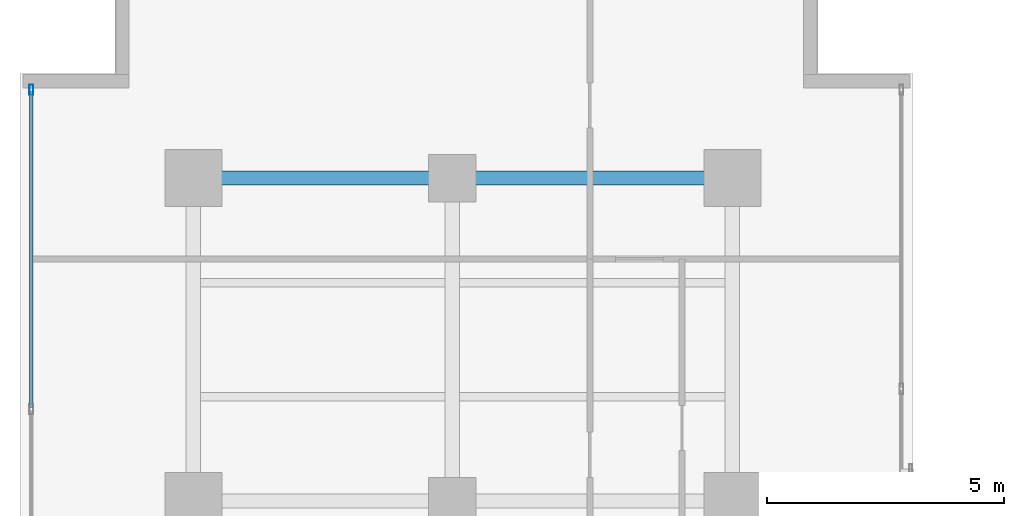
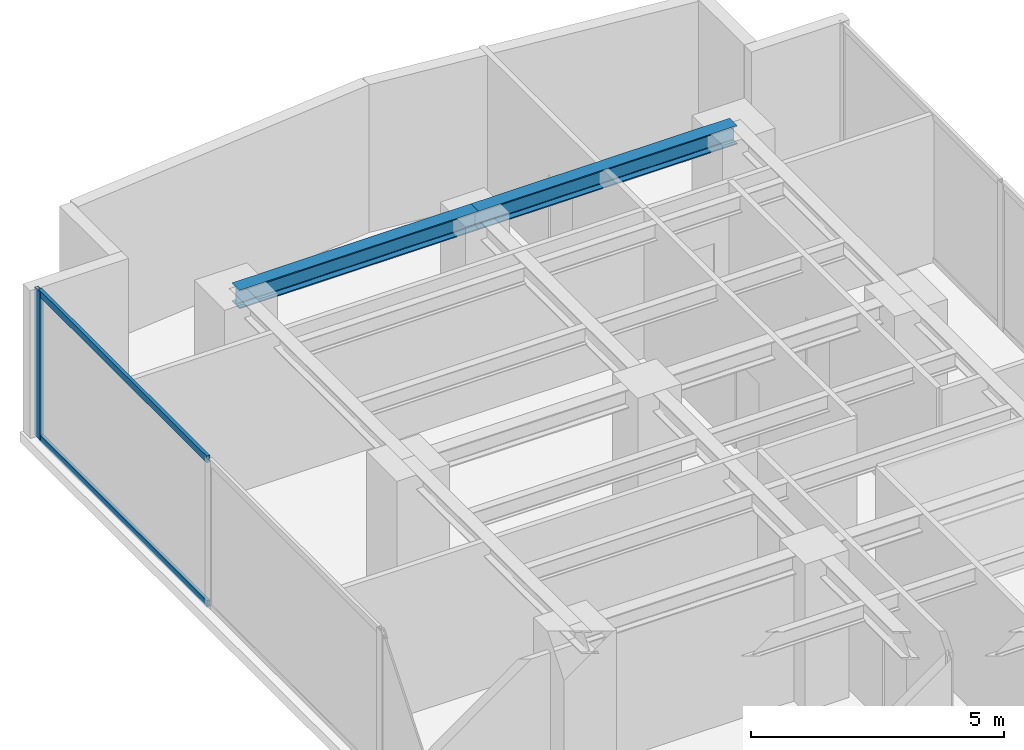
# One storey, part 16 of 26: 3 members, 2 beams, 1 element without a shape of its own.
"""IFC4 building model written with IfcOpenShell, lengths in metres."""

from ifc_helpers import new_model, si_unit, direction, frame, origin, origin_with_axes, origin_2d, place, context, subcontext, project, spatial, hollow_rectangle, i_section, extrude, source, transform, mapped, material, layer, layer_set, material_profile, profile_set, type_object, element, aggregate, save


model = new_model("IFC4")

# Units and contexts
model_context = context("Model", 3, precision=1e-05, world=origin(), true_north=direction((0.0, 1.0)))
body_context = subcontext(model_context, "Body", "Model", "MODEL_VIEW")
ifc_project = project(units=[si_unit("LENGTHUNIT", "METRE"), si_unit("AREAUNIT", "SQUARE_METRE"), si_unit("VOLUMEUNIT", "CUBIC_METRE"), si_unit("PLANEANGLEUNIT", "RADIAN"), si_unit("MASSUNIT", "GRAM", prefix="KILO")], contexts=[model_context])

# Site, building, storey
site_placement = place(None, origin())
site = spatial("IfcSite", under=ifc_project, at=site_placement, CompositionType="ELEMENT")
building_placement = place(site_placement, origin())
building = spatial("IfcBuilding", under=site, at=building_placement, Name="Kolvaren Waterfront Exchange", CompositionType="ELEMENT")
storey_placement = place(building_placement, frame((0.0, 0.0, 165.199951171875)))
storey = spatial("IfcBuildingStorey", under=building, at=storey_placement, Name="L42", CompositionType="ELEMENT", Elevation=165.199951171875)

# Beams
ifc_material_1 = material(Name="Steel S355", Category="steel")
ifc_material_profile_1 = material_profile(ifc_material_1, i_section(OverallWidth=0.300048828125, OverallDepth=0.449951171875, WebThickness=0.013916015625, FlangeThickness=0.02587890625, FilletRadius=0.027099609375, at=origin_2d()), Name="HEB450")
ifc_profile_set_1 = profile_set([ifc_material_profile_1], Name="Steel S355")
beam_type = type_object("IfcBeamType", Name="STR-BM-HEB450", PredefinedType="BEAM", material=ifc_profile_set_1)
beam_1_placement = place(storey_placement, frame((7.449951171875, 44.60009765625, 3.3349609375), z_axis=(1.0, 0.0, 0.0), x_axis=(0.0, 1.0, 0.0)))
element("IfcBeam", 1, at=beam_1_placement, inside=storey, type_object=beam_type, Name="L42 north-arm girder 4A", PredefinedType="BEAM", context=body_context, shape_type="SweptSolid", body=[
    extrude(i_section(OverallWidth=0.300048828125, OverallDepth=0.449951171875, WebThickness=0.013916015625, FlangeThickness=0.02587890625, FilletRadius=0.027099609375, at=origin_2d()), origin(), (0.0, 0.0, 1.0), 5.449951171875),
])
beam_2_placement = place(storey_placement, frame((12.89990234375, 44.60009765625, 3.3349609375), z_axis=(1.0, 0.0, 0.0), x_axis=(0.0, 1.0, 0.0)))
element("IfcBeam", 2, at=beam_2_placement, inside=storey, type_object=beam_type, Name="L42 north-arm girder 4B", PredefinedType="BEAM", context=body_context, shape_type="SweptSolid", body=[
    extrude(i_section(OverallWidth=0.300048828125, OverallDepth=0.449951171875, WebThickness=0.013916015625, FlangeThickness=0.02587890625, FilletRadius=0.027099609375, at=origin_2d()), origin(), (0.0, 0.0, 1.0), 5.900146484375),
])

# Curtain wall, members
ifc_material_2 = material(Name="Anodised aluminium 6063-T6", Category="aluminium")
ifc_layer = layer(ifc_material_2, 0.219970703125, Name="Anodised aluminium 6063-T6")
ifc_layer_set = layer_set([ifc_layer], Name="Anodised aluminium 6063-T6")
curtain_wall_type = type_object("IfcCurtainWallType", Name="ARC-CW-SYS2", PredefinedType="USERDEFINED", material=ifc_layer_set)
curtain_wall_placement = place(storey_placement, origin())
curtain_wall = element("IfcCurtainWall", 3, at=curtain_wall_placement, inside=storey, type_object=curtain_wall_type, Name="L42 stick curtain wall CW2 (CW-L42-W)", ObjectType="STICK CURTAIN WALL", PredefinedType="USERDEFINED")
ifc_material_profile_2 = material_profile(ifc_material_2, hollow_rectangle(XDim=0.080078125, YDim=0.219970703125, WallThickness=0.0048828125, at=origin_2d()), Name="ALU-MUL-220x80x5")
ifc_profile_set_2 = profile_set([ifc_material_profile_2], Name="Anodised aluminium 6063-T6")
member_type_1 = type_object("IfcMemberType", Name="ARC-CWM-220", PredefinedType="MULLION", material=ifc_profile_set_2)
shared_shape_1 = source(origin_with_axes(), body_context, "Body", "SweptSolid", [
    extrude(hollow_rectangle(XDim=0.080078125, YDim=0.219970703125, WallThickness=0.0048828125, at=origin_2d()), origin(), (0.0, 0.0, 1.0), 3.56005859375),
])
member_1_placement = place(storey_placement, frame((4.0400390625, 46.4599609375, 0.0), z_axis=(0.0, 0.0, 1.0), x_axis=(-1.0, 0.0, 0.0)))
member_1 = element("IfcMember", 4, at=member_1_placement, type_object=member_type_1, Name="CW2 mullion 7", PredefinedType="MULLION", context=body_context, shape_type="MappedRepresentation", body=[
    mapped(shared_shape_1, transform((0.0, 0.0, 0.0), x_axis=(1.0, 0.0, 0.0), y_axis=(0.0, 1.0, 0.0), z_axis=(0.0, 0.0, 1.0), scale=1.0)),
])
ifc_material_profile_3 = material_profile(ifc_material_2, hollow_rectangle(XDim=0.074951171875, YDim=0.159912109375, WallThickness=0.00439453125, at=origin_2d()), Name="ALU-TRN-160x75x4.5")
ifc_profile_set_3 = profile_set([ifc_material_profile_3], Name="Anodised aluminium 6063-T6")
member_type_2 = type_object("IfcMemberType", Name="ARC-CWT-160", PredefinedType="USERDEFINED", material=ifc_profile_set_3)
shared_shape_2 = source(origin_with_axes(), body_context, "Body", "SweptSolid", [
    extrude(hollow_rectangle(XDim=0.074951171875, YDim=0.159912109375, WallThickness=0.00439453125, at=origin_2d()), origin(), (0.0, 0.0, 1.0), 6.646484375),
])
member_2_placement = place(storey_placement, frame((4.0400390625, 39.7734375, 0.03759765625), z_axis=(0.0, 1.0, 0.0), x_axis=(-1.0, 0.0, 0.0)))
member_2 = element("IfcMember", 5, at=member_2_placement, type_object=member_type_2, Name="CW2 transom 6.1", ObjectType="TRANSOM", PredefinedType="USERDEFINED", context=body_context, shape_type="MappedRepresentation", body=[
    mapped(shared_shape_2, transform((0.0, 0.0, 0.0), x_axis=(1.0, 0.0, 0.0), y_axis=(0.0, 1.0, 0.0), z_axis=(0.0, 0.0, 1.0), scale=1.0)),
])
member_3_placement = place(storey_placement, frame((4.0400390625, 39.7734375, 3.5224609375), z_axis=(0.0, 1.0, 0.0), x_axis=(-1.0, 0.0, 0.0)))
member_3 = element("IfcMember", 6, at=member_3_placement, type_object=member_type_2, Name="CW2 transom 6.2", ObjectType="TRANSOM", PredefinedType="USERDEFINED", context=body_context, shape_type="MappedRepresentation", body=[
    mapped(shared_shape_2, transform((0.0, 0.0, 0.0), x_axis=(1.0, 0.0, 0.0), y_axis=(0.0, 1.0, 0.0), z_axis=(0.0, 0.0, 1.0), scale=1.0)),
])
aggregate(curtain_wall, [member_1, member_2, member_3])

save(model, "model.ifc")
